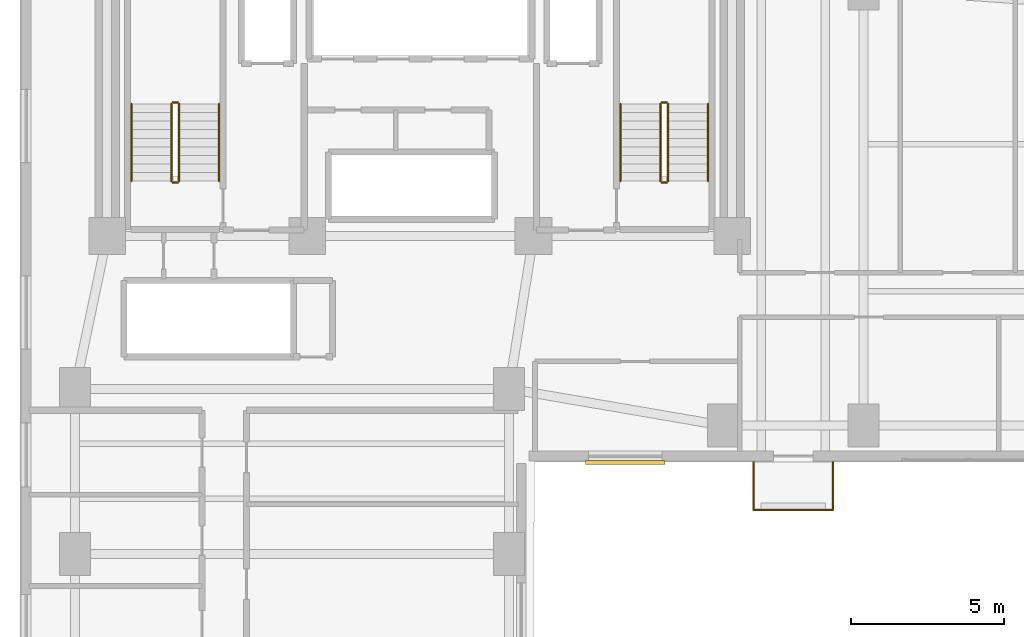
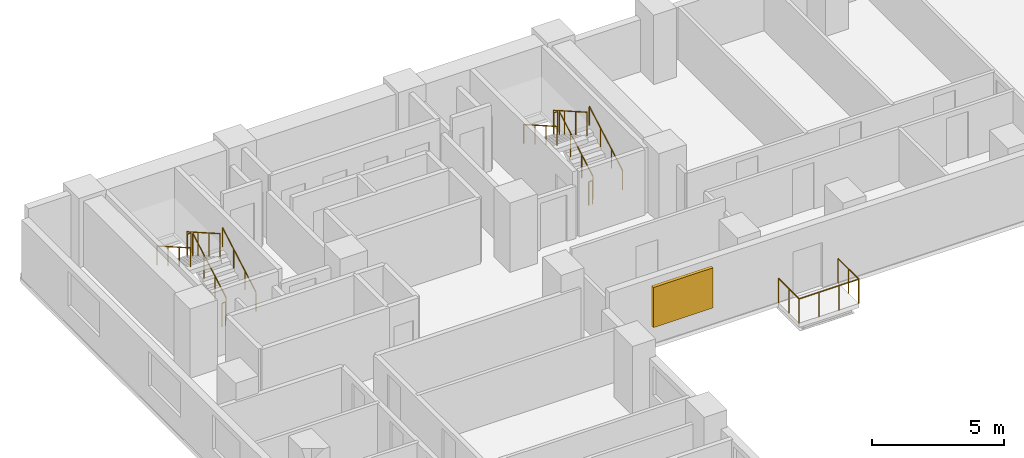
# One storey, part 12 of 14: 15 railings, 1 shading device.
"""IFC4 building model written with IfcOpenShell, lengths in metres."""

from ifc_helpers import new_model, si_unit, direction, frame, origin, origin_2d, place, context, subcontext, project, spatial, rectangle, circle, extrude, material, layer, layer_set, type_object, element, save


model = new_model("IFC4")

# Units and contexts
model_context = context("Model", 3, precision=1e-05, world=origin(), true_north=direction((0.0, 1.0)))
body_context = subcontext(model_context, "Body", "Model", "MODEL_VIEW")
ifc_project = project(units=[si_unit("LENGTHUNIT", "METRE"), si_unit("AREAUNIT", "SQUARE_METRE"), si_unit("VOLUMEUNIT", "CUBIC_METRE"), si_unit("PLANEANGLEUNIT", "RADIAN"), si_unit("MASSUNIT", "GRAM", prefix="KILO")], contexts=[model_context])

# Site, building, storey
site_placement = place(None, origin())
site = spatial("IfcSite", under=ifc_project, at=site_placement, CompositionType="ELEMENT")
building_placement = place(site_placement, origin())
building = spatial("IfcBuilding", under=site, at=building_placement, Name="Kuzgunbayir Cultural Tower", CompositionType="ELEMENT")
storey_placement = place(building_placement, frame((0.0, 0.0, 62.800048828125)))
storey = spatial("IfcBuildingStorey", under=building, at=storey_placement, Name="L17", CompositionType="ELEMENT", Elevation=62.800048828125)

# Railings
ifc_material_1 = material(Name="Laminated Glass and Stainless Steel", Category="steel")
ifc_layer_1 = layer(ifc_material_1, 0.080078125)
ifc_layer_set_1 = layer_set([ifc_layer_1], Name="Laminated Glass and Stainless Steel")
railing_type_1 = type_object("IfcRailingType", Name="RLG-BAL-115", PredefinedType="BALUSTRADE", material=ifc_layer_set_1)
railing_1_placement = place(storey_placement, frame((27.60009765625, 26.39990234375, 0.0)))
element("IfcRailing", 1, at=railing_1_placement, inside=storey, type_object=railing_type_1, Name="L17 Balcony Guard BAL-L17-WB1 Segment 1", PredefinedType="BALUSTRADE", context=body_context, shape_type="SweptSolid", body=[
    extrude(circle(Radius=0.02392578125, at=origin_2d()), frame((0.0, 0.0, 1.1259765625), z_axis=(0.0, -1.0, 0.0), x_axis=(1.0, 0.0, 0.0)), (0.0, 0.0, 1.0), 1.559814453125),
    extrude(circle(Radius=0.02099609375, at=origin_2d()), origin(), (0.0, 0.0, 1.0), 1.101806640625),
    extrude(circle(Radius=0.02099609375, at=origin_2d()), frame((0.0, -0.77978515625, 0.0)), (0.0, 0.0, 1.0), 1.101806640625),
    extrude(circle(Radius=0.02099609375, at=origin_2d()), frame((0.0, -1.559814453125, 0.0)), (0.0, 0.0, 1.0), 1.101806640625),
])
railing_2_placement = place(storey_placement, frame((27.60009765625, 24.840087890625, 0.0)))
element("IfcRailing", 2, at=railing_2_placement, inside=storey, type_object=railing_type_1, Name="L17 Balcony Guard BAL-L17-WB1 Segment 2", PredefinedType="BALUSTRADE", context=body_context, shape_type="SweptSolid", body=[
    extrude(circle(Radius=0.02392578125, at=origin_2d()), frame((0.0, 0.0, 1.1259765625), z_axis=(1.0, 0.0, 0.0), x_axis=(0.0, 1.0, 0.0)), (0.0, 0.0, 1.0), 2.599853515625),
    extrude(circle(Radius=0.02099609375, at=origin_2d()), origin(), (0.0, 0.0, 1.0), 1.101806640625),
    extrude(circle(Radius=0.02099609375, at=origin_2d()), frame((0.86669921875, 0.0, 0.0)), (0.0, 0.0, 1.0), 1.101806640625),
    extrude(circle(Radius=0.02099609375, at=origin_2d()), frame((1.733154296875, 0.0, 0.0)), (0.0, 0.0, 1.0), 1.101806640625),
    extrude(circle(Radius=0.02099609375, at=origin_2d()), frame((2.599853515625, 0.0, 0.0)), (0.0, 0.0, 1.0), 1.101806640625),
])
railing_3_placement = place(storey_placement, frame((30.199951171875, 24.840087890625, 0.0)))
element("IfcRailing", 3, at=railing_3_placement, inside=storey, type_object=railing_type_1, Name="L17 Balcony Guard BAL-L17-WB1 Segment 3", PredefinedType="BALUSTRADE", context=body_context, shape_type="SweptSolid", body=[
    extrude(circle(Radius=0.02392578125, at=origin_2d()), frame((0.0, 0.0, 1.1259765625), z_axis=(0.0, 1.0, 0.0), x_axis=(-1.0, 0.0, 0.0)), (0.0, 0.0, 1.0), 1.559814453125),
    extrude(circle(Radius=0.02099609375, at=origin_2d()), origin(), (0.0, 0.0, 1.0), 1.101806640625),
    extrude(circle(Radius=0.02099609375, at=origin_2d()), frame((0.0, 0.77978515625, 0.0)), (0.0, 0.0, 1.0), 1.101806640625),
    extrude(circle(Radius=0.02099609375, at=origin_2d()), frame((0.0, 1.559814453125, 0.0)), (0.0, 0.0, 1.0), 1.101806640625),
])
ifc_material_2 = material(Name="Brushed Stainless Steel", Category="steel")
ifc_layer_2 = layer(ifc_material_2, 0.050048828125)
ifc_layer_set_2 = layer_set([ifc_layer_2], Name="Brushed Stainless Steel")
railing_type_2 = type_object("IfcRailingType", Name="RLG-STAIR-HANDRAIL", PredefinedType="HANDRAIL", material=ifc_layer_set_2)
railing_4_placement = place(storey_placement, frame((10.110107421875, 35.60009765625, 0.159912109375)))
element("IfcRailing", 4, at=railing_4_placement, inside=storey, type_object=railing_type_2, Name="L17 ST-1 stair handrail 1", PredefinedType="HANDRAIL", context=body_context, shape_type="SweptSolid", body=[
    extrude(circle(Radius=0.02392578125, at=origin_2d()), frame((0.0, 0.0, 0.8759765625), z_axis=(0.0, 0.868253494771, 0.496120820787), x_axis=(-1.0, 0.0, 0.0)), (0.0, 0.0, 1.0), 2.90234375),
    extrude(circle(Radius=0.02099609375, at=origin_2d()), origin(), (0.0, 0.0, 1.0), 0.851806640625),
    extrude(circle(Radius=0.02099609375, at=origin_2d()), frame((0.0, 0.840087890625, 0.47998046875)), (0.0, 0.0, 1.0), 0.851806640625),
    extrude(circle(Radius=0.02099609375, at=origin_2d()), frame((0.0, 1.679931640625, 0.9599609375)), (0.0, 0.0, 1.0), 0.851806640625),
    extrude(circle(Radius=0.02099609375, at=origin_2d()), frame((0.0, 2.52001953125, 1.43994140625)), (0.0, 0.0, 1.0), 0.851806640625),
])
railing_5_placement = place(storey_placement, frame((7.25, 38.1201171875, 1.760009765625)))
element("IfcRailing", 5, at=railing_5_placement, inside=storey, type_object=railing_type_2, Name="L17 ST-1 stair handrail 2", PredefinedType="HANDRAIL", context=body_context, shape_type="SweptSolid", body=[
    extrude(circle(Radius=0.02392578125, at=origin_2d()), frame((0.0, 0.0, 0.8759765625), z_axis=(0.0, -0.868253494771, 0.496120820787), x_axis=(1.0, 0.0, 0.0)), (0.0, 0.0, 1.0), 2.90234375),
    extrude(circle(Radius=0.02099609375, at=origin_2d()), origin(), (0.0, 0.0, 1.0), 0.851806640625),
    extrude(circle(Radius=0.02099609375, at=origin_2d()), frame((0.0, -0.840087890625, 0.47998046875)), (0.0, 0.0, 1.0), 0.851806640625),
    extrude(circle(Radius=0.02099609375, at=origin_2d()), frame((0.0, -1.679931640625, 0.9599609375)), (0.0, 0.0, 1.0), 0.851806640625),
    extrude(circle(Radius=0.02099609375, at=origin_2d()), frame((0.0, -2.52001953125, 1.43994140625)), (0.0, 0.0, 1.0), 0.851806640625),
])
railing_6_placement = place(storey_placement, frame((26.110107421875, 35.60009765625, 0.159912109375)))
element("IfcRailing", 6, at=railing_6_placement, inside=storey, type_object=railing_type_2, Name="L17 ST-2 stair handrail 1", PredefinedType="HANDRAIL", context=body_context, shape_type="SweptSolid", body=[
    extrude(circle(Radius=0.02392578125, at=origin_2d()), frame((0.0, 0.0, 0.8759765625), z_axis=(0.0, 0.868253494771, 0.496120820787), x_axis=(-1.0, 0.0, 0.0)), (0.0, 0.0, 1.0), 2.90234375),
    extrude(circle(Radius=0.02099609375, at=origin_2d()), origin(), (0.0, 0.0, 1.0), 0.851806640625),
    extrude(circle(Radius=0.02099609375, at=origin_2d()), frame((0.0, 0.840087890625, 0.47998046875)), (0.0, 0.0, 1.0), 0.851806640625),
    extrude(circle(Radius=0.02099609375, at=origin_2d()), frame((0.0, 1.679931640625, 0.9599609375)), (0.0, 0.0, 1.0), 0.851806640625),
    extrude(circle(Radius=0.02099609375, at=origin_2d()), frame((0.0, 2.52001953125, 1.43994140625)), (0.0, 0.0, 1.0), 0.851806640625),
])
railing_7_placement = place(storey_placement, frame((23.25, 38.1201171875, 1.760009765625)))
element("IfcRailing", 7, at=railing_7_placement, inside=storey, type_object=railing_type_2, Name="L17 ST-2 stair handrail 2", PredefinedType="HANDRAIL", context=body_context, shape_type="SweptSolid", body=[
    extrude(circle(Radius=0.02392578125, at=origin_2d()), frame((0.0, 0.0, 0.8759765625), z_axis=(0.0, -0.868253494771, 0.496120820787), x_axis=(1.0, 0.0, 0.0)), (0.0, 0.0, 1.0), 2.90234375),
    extrude(circle(Radius=0.02099609375, at=origin_2d()), origin(), (0.0, 0.0, 1.0), 0.851806640625),
    extrude(circle(Radius=0.02099609375, at=origin_2d()), frame((0.0, -0.840087890625, 0.47998046875)), (0.0, 0.0, 1.0), 0.851806640625),
    extrude(circle(Radius=0.02099609375, at=origin_2d()), frame((0.0, -1.679931640625, 0.9599609375)), (0.0, 0.0, 1.0), 0.851806640625),
    extrude(circle(Radius=0.02099609375, at=origin_2d()), frame((0.0, -2.52001953125, 1.43994140625)), (0.0, 0.0, 1.0), 0.851806640625),
])
ifc_material_3 = material(Name="Painted Steel Balustrade", Category="steel")
ifc_layer_3 = layer(ifc_material_3, 0.06005859375)
ifc_layer_set_3 = layer_set([ifc_layer_3], Name="Painted Steel Balustrade")
railing_type_3 = type_object("IfcRailingType", Name="RLG-WELL-GUARD", PredefinedType="GUARDRAIL", material=ifc_layer_set_3)
railing_8_placement = place(storey_placement, frame((8.81005859375, 35.60009765625, 0.159912109375)))
element("IfcRailing", 8, at=railing_8_placement, inside=storey, type_object=railing_type_3, Name="L17 ST-1 stair guard 1", PredefinedType="GUARDRAIL", context=body_context, shape_type="SweptSolid", body=[
    extrude(circle(Radius=0.02392578125, at=origin_2d()), frame((0.0, 0.0, 1.076171875), z_axis=(0.0, 0.868253494771, 0.496120820787), x_axis=(-1.0, 0.0, 0.0)), (0.0, 0.0, 1.0), 2.90234375),
    extrude(circle(Radius=0.02099609375, at=origin_2d()), origin(), (0.0, 0.0, 1.0), 1.052001953125),
    extrude(circle(Radius=0.02099609375, at=origin_2d()), frame((0.0, 0.840087890625, 0.47998046875)), (0.0, 0.0, 1.0), 1.052001953125),
    extrude(circle(Radius=0.02099609375, at=origin_2d()), frame((0.0, 1.679931640625, 0.9599609375)), (0.0, 0.0, 1.0), 1.052001953125),
    extrude(circle(Radius=0.02099609375, at=origin_2d()), frame((0.0, 2.52001953125, 1.43994140625)), (0.0, 0.0, 1.0), 1.052001953125),
])
railing_9_placement = place(storey_placement, frame((8.760009765625, 38.169921875, 1.599853515625)))
element("IfcRailing", 9, at=railing_9_placement, inside=storey, type_object=railing_type_3, Name="L17 ST-1 stair guard 2", PredefinedType="GUARDRAIL", context=body_context, shape_type="SweptSolid", body=[
    extrude(circle(Radius=0.02392578125, at=origin_2d()), frame((0.0, 0.0, 1.076171875), z_axis=(-1.0, 0.0, 0.0), x_axis=(0.0, -1.0, 0.0)), (0.0, 0.0, 1.0), 0.159912109375),
    extrude(circle(Radius=0.02099609375, at=origin_2d()), origin(), (0.0, 0.0, 1.0), 1.052001953125),
    extrude(circle(Radius=0.02099609375, at=origin_2d()), frame((-0.159912109375, 0.0, 0.0)), (0.0, 0.0, 1.0), 1.052001953125),
])
railing_10_placement = place(storey_placement, frame((8.550048828125, 38.1201171875, 1.760009765625)))
element("IfcRailing", 10, at=railing_10_placement, inside=storey, type_object=railing_type_3, Name="L17 ST-1 stair guard 3", PredefinedType="GUARDRAIL", context=body_context, shape_type="SweptSolid", body=[
    extrude(circle(Radius=0.02392578125, at=origin_2d()), frame((0.0, 0.0, 1.076171875), z_axis=(0.0, -0.868253494771, 0.496120820787), x_axis=(1.0, 0.0, 0.0)), (0.0, 0.0, 1.0), 2.90234375),
    extrude(circle(Radius=0.02099609375, at=origin_2d()), origin(), (0.0, 0.0, 1.0), 1.052001953125),
    extrude(circle(Radius=0.02099609375, at=origin_2d()), frame((0.0, -0.840087890625, 0.47998046875)), (0.0, 0.0, 1.0), 1.052001953125),
    extrude(circle(Radius=0.02099609375, at=origin_2d()), frame((0.0, -1.679931640625, 0.9599609375)), (0.0, 0.0, 1.0), 1.052001953125),
    extrude(circle(Radius=0.02099609375, at=origin_2d()), frame((0.0, -2.52001953125, 1.43994140625)), (0.0, 0.0, 1.0), 1.052001953125),
])
railing_11_placement = place(storey_placement, frame((8.760009765625, 35.550048828125, 0.0)))
element("IfcRailing", 11, at=railing_11_placement, inside=storey, type_object=railing_type_3, Name="L17 ST-1 stair guard 4", PredefinedType="GUARDRAIL", context=body_context, shape_type="SweptSolid", body=[
    extrude(circle(Radius=0.02392578125, at=origin_2d()), frame((0.0, 0.0, 1.076171875), z_axis=(-1.0, 0.0, 0.0), x_axis=(0.0, -1.0, 0.0)), (0.0, 0.0, 1.0), 0.159912109375),
    extrude(circle(Radius=0.02099609375, at=origin_2d()), origin(), (0.0, 0.0, 1.0), 1.052001953125),
    extrude(circle(Radius=0.02099609375, at=origin_2d()), frame((-0.159912109375, 0.0, 0.0)), (0.0, 0.0, 1.0), 1.052001953125),
])
railing_12_placement = place(storey_placement, frame((24.81005859375, 35.60009765625, 0.159912109375)))
element("IfcRailing", 12, at=railing_12_placement, inside=storey, type_object=railing_type_3, Name="L17 ST-2 stair guard 1", PredefinedType="GUARDRAIL", context=body_context, shape_type="SweptSolid", body=[
    extrude(circle(Radius=0.02392578125, at=origin_2d()), frame((0.0, 0.0, 1.076171875), z_axis=(0.0, 0.868253494771, 0.496120820787), x_axis=(-1.0, 0.0, 0.0)), (0.0, 0.0, 1.0), 2.90234375),
    extrude(circle(Radius=0.02099609375, at=origin_2d()), origin(), (0.0, 0.0, 1.0), 1.052001953125),
    extrude(circle(Radius=0.02099609375, at=origin_2d()), frame((0.0, 0.840087890625, 0.47998046875)), (0.0, 0.0, 1.0), 1.052001953125),
    extrude(circle(Radius=0.02099609375, at=origin_2d()), frame((0.0, 1.679931640625, 0.9599609375)), (0.0, 0.0, 1.0), 1.052001953125),
    extrude(circle(Radius=0.02099609375, at=origin_2d()), frame((0.0, 2.52001953125, 1.43994140625)), (0.0, 0.0, 1.0), 1.052001953125),
])
railing_13_placement = place(storey_placement, frame((24.760009765625, 38.169921875, 1.599853515625)))
element("IfcRailing", 13, at=railing_13_placement, inside=storey, type_object=railing_type_3, Name="L17 ST-2 stair guard 2", PredefinedType="GUARDRAIL", context=body_context, shape_type="SweptSolid", body=[
    extrude(circle(Radius=0.02392578125, at=origin_2d()), frame((0.0, 0.0, 1.076171875), z_axis=(-1.0, 0.0, 0.0), x_axis=(0.0, -1.0, 0.0)), (0.0, 0.0, 1.0), 0.159912109375),
    extrude(circle(Radius=0.02099609375, at=origin_2d()), origin(), (0.0, 0.0, 1.0), 1.052001953125),
    extrude(circle(Radius=0.02099609375, at=origin_2d()), frame((-0.159912109375, 0.0, 0.0)), (0.0, 0.0, 1.0), 1.052001953125),
])
railing_14_placement = place(storey_placement, frame((24.550048828125, 38.1201171875, 1.760009765625)))
element("IfcRailing", 14, at=railing_14_placement, inside=storey, type_object=railing_type_3, Name="L17 ST-2 stair guard 3", PredefinedType="GUARDRAIL", context=body_context, shape_type="SweptSolid", body=[
    extrude(circle(Radius=0.02392578125, at=origin_2d()), frame((0.0, 0.0, 1.076171875), z_axis=(0.0, -0.868253494771, 0.496120820787), x_axis=(1.0, 0.0, 0.0)), (0.0, 0.0, 1.0), 2.90234375),
    extrude(circle(Radius=0.02099609375, at=origin_2d()), origin(), (0.0, 0.0, 1.0), 1.052001953125),
    extrude(circle(Radius=0.02099609375, at=origin_2d()), frame((0.0, -0.840087890625, 0.47998046875)), (0.0, 0.0, 1.0), 1.052001953125),
    extrude(circle(Radius=0.02099609375, at=origin_2d()), frame((0.0, -1.679931640625, 0.9599609375)), (0.0, 0.0, 1.0), 1.052001953125),
    extrude(circle(Radius=0.02099609375, at=origin_2d()), frame((0.0, -2.52001953125, 1.43994140625)), (0.0, 0.0, 1.0), 1.052001953125),
])
railing_15_placement = place(storey_placement, frame((24.760009765625, 35.550048828125, 0.0)))
element("IfcRailing", 15, at=railing_15_placement, inside=storey, type_object=railing_type_3, Name="L17 ST-2 stair guard 4", PredefinedType="GUARDRAIL", context=body_context, shape_type="SweptSolid", body=[
    extrude(circle(Radius=0.02392578125, at=origin_2d()), frame((0.0, 0.0, 1.076171875), z_axis=(-1.0, 0.0, 0.0), x_axis=(0.0, -1.0, 0.0)), (0.0, 0.0, 1.0), 0.159912109375),
    extrude(circle(Radius=0.02099609375, at=origin_2d()), origin(), (0.0, 0.0, 1.0), 1.052001953125),
    extrude(circle(Radius=0.02099609375, at=origin_2d()), frame((-0.159912109375, 0.0, 0.0)), (0.0, 0.0, 1.0), 1.052001953125),
])

# Shading device
ifc_material_4 = material(Name="Perforated Bronze-Anodised Aluminium", Category="aluminium")
shading_device_type = type_object("IfcShadingDeviceType", Name="SHD-SOLAR-BRONZE", PredefinedType="JALOUSIE", material=ifc_material_4)
shading_device_placement = place(storey_placement, frame((23.39990234375, 26.389892578125, 0.824951171875), z_axis=(0.0, 0.0, 1.0), x_axis=(1.0, 0.0, 0.0)))
element("IfcShadingDevice", 16, at=shading_device_placement, inside=storey, type_object=shading_device_type, Name="L17 Solar Screen WBS10", PredefinedType="JALOUSIE", context=body_context, shape_type="SweptSolid", body=[
    extrude(rectangle(XDim=2.60009765625, YDim=0.139892578125, at=origin_2d()), origin(), (0.0, 0.0, 1.0), 1.85009765625),
])

save(model, "model.ifc")
